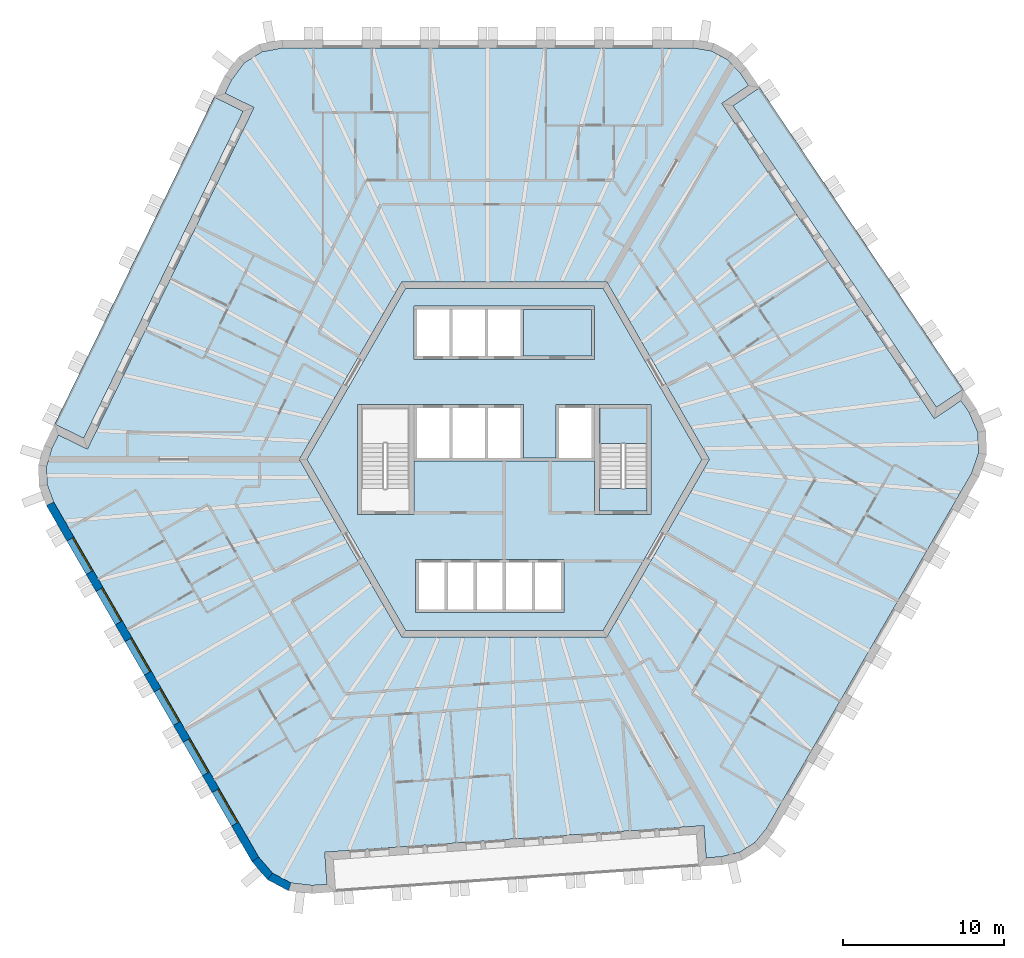
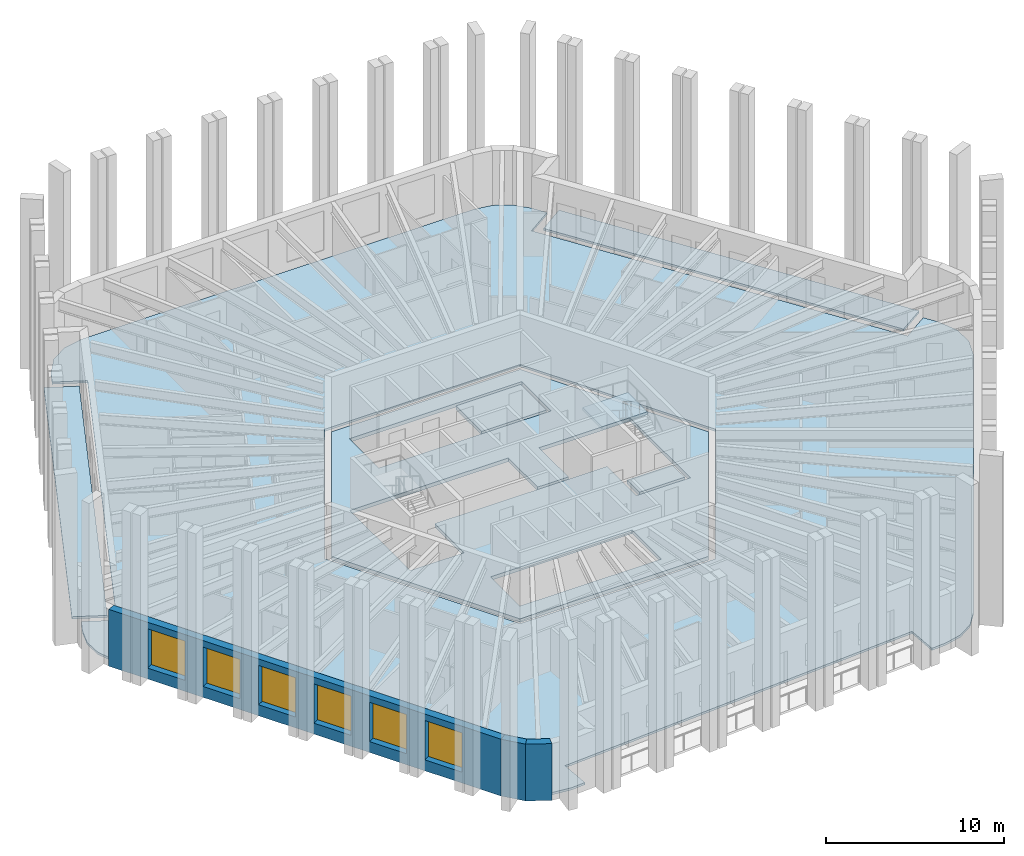
# One storey, part 2 of 13: 7 slabs, 6 windows, 3 walls, 6 openings, 1 element without a shape of its own.
"""IFC4 building model written with IfcOpenShell, lengths in metres."""

import ifcopenshell
import ifcopenshell.guid

model = None  # the IFC model being written
_history = None  # IfcOwnerHistory: only IFC2X3 demands one
_inside = {}  # id of a spatial element -> (the spatial element, [elements in it])
_under = {}  # id of a project, library or spatial element -> (it, [spatial elements below it])
_declared = {}  # id of a project -> (the project, [libraries it declares])
_typed = {}  # id of a type object -> (the type object, [elements of that type])
_made_of = {}  # id of a material, layer set ... -> (it, [elements and type objects made of it])


def new_model(schema):
    """Start an empty IFC model of exactly this schema.

    Asked for "IFC4X3", IfcOpenShell would pick the latest addendum, in which some entities
    have other attributes; the version numbers below select the first issue.
    IFC2X3 requires an IfcOwnerHistory on every rooted entity: one is made here for all.
    """
    global model, _history
    if schema == "IFC4X3":
        model = ifcopenshell.file(schema_version=(4, 3, 0, 0))
    else:
        model = ifcopenshell.file(schema=schema)
    _inside.clear()
    _under.clear()
    _declared.clear()
    _typed.clear()
    _made_of.clear()
    _history = None
    if model.schema == "IFC2X3":
        org = make("IfcOrganization", Name="unknown")
        user = make(
            "IfcPersonAndOrganization",
            ThePerson=make("IfcPerson", FamilyName="unknown"),
            TheOrganization=org,
        )
        app = make(
            "IfcApplication",
            ApplicationDeveloper=org,
            Version="unknown",
            ApplicationFullName="unknown",
            ApplicationIdentifier="unknown",
        )
        _history = make(
            "IfcOwnerHistory",
            OwningUser=user,
            OwningApplication=app,
            ChangeAction="ADDED",
            CreationDate=0,
        )
    return model


def make(cls, **values):
    """One entity of the class cls with the attributes given. An attribute that is None is left unset."""
    return model.create_entity(
        cls, **{name: value for name, value in values.items() if value is not None}
    )


def rooted(cls, **values):
    """An entity with a GlobalId (a new one), such as an element, a storey or a relation."""
    return make(cls, GlobalId=ifcopenshell.guid.new(), OwnerHistory=_history, **values)


def si_unit(unit_type, name, prefix=None):
    """IfcSIUnit, for example si_unit("LENGTHUNIT", "METRE", prefix="MILLI")."""
    return make("IfcSIUnit", UnitType=unit_type, Prefix=prefix, Name=name)


def assignment(units):
    """IfcUnitAssignment: the units of a project."""
    return None if units is None else make("IfcUnitAssignment", Units=units)


def point(xyz):
    """IfcCartesianPoint."""
    return None if xyz is None else make("IfcCartesianPoint", Coordinates=xyz)


def direction(xyz):
    """IfcDirection."""
    return None if xyz is None else make("IfcDirection", DirectionRatios=xyz)


def frame(location, z_axis=None, x_axis=None):
    """IfcAxis2Placement3D, a coordinate frame: its origin and axes. An axis left out is left unset."""
    return make(
        "IfcAxis2Placement3D",
        Location=point(location),
        Axis=direction(z_axis),
        RefDirection=direction(x_axis),
    )


def frame_2d(location, x_axis=None):
    """IfcAxis2Placement2D, a coordinate frame in the plane: its origin and x axis."""
    return make(
        "IfcAxis2Placement2D", Location=point(location), RefDirection=direction(x_axis)
    )


def origin():
    """The frame at (0, 0, 0) with its axes left unset."""
    return frame((0.0, 0.0, 0.0))


def place(relative_to, where):
    """IfcLocalPlacement: puts the frame where relative to a parent placement (None: the world)."""
    return make(
        "IfcLocalPlacement", PlacementRelTo=relative_to, RelativePlacement=where
    )


def context(
    kind, dimensions, precision=None, world=None, true_north=None, identifier=None
):
    """IfcGeometricRepresentationContext, for example the 3D "Model" context."""
    return make(
        "IfcGeometricRepresentationContext",
        ContextIdentifier=identifier,
        ContextType=kind,
        CoordinateSpaceDimension=dimensions,
        Precision=precision,
        WorldCoordinateSystem=world,
        TrueNorth=true_north,
    )


def subcontext(parent, identifier, kind, view, scale=None):
    """IfcGeometricRepresentationSubContext, for example "Body" below "Model"."""
    return make(
        "IfcGeometricRepresentationSubContext",
        ContextIdentifier=identifier,
        ContextType=kind,
        ParentContext=parent,
        TargetScale=scale,
        TargetView=view,
    )


def project(units=None, contexts=None):
    """IfcProject with its units and contexts."""
    return rooted(
        "IfcProject",
        Name="project",
        RepresentationContexts=contexts,
        UnitsInContext=assignment(units),
    )


def spatial(cls, under=None, at=None, **own):
    """A site, building, storey or space (cls), placed at a placement, below another one or the project."""
    s = rooted(cls, ObjectPlacement=at, **own)
    if under is not None:
        _under.setdefault(under.id(), (under, []))[1].append(s)
    return s


def polyline(points):
    """IfcPolyline through the points."""
    return make("IfcPolyline", Points=[point(p) for p in points])


def profile(cls, at=None, kind="AREA", **sizes):
    """A parametric profile (cls). Its sizes go by their IFC names, for example OverallWidth=200.0."""
    return make(cls, ProfileType=kind, Position=at, **sizes)


def rectangle(**sizes):
    """IfcRectangleProfileDef."""
    return profile("IfcRectangleProfileDef", **sizes)


def outline(outer, holes=None, kind="AREA"):
    """IfcArbitraryClosedProfileDef: a profile drawn as a closed curve; with holes, ...WithVoids."""
    if holes is None:
        return make("IfcArbitraryClosedProfileDef", ProfileType=kind, OuterCurve=outer)
    return make(
        "IfcArbitraryProfileDefWithVoids",
        ProfileType=kind,
        OuterCurve=outer,
        InnerCurves=holes,
    )


def extrude(swept, where, along, depth):
    """IfcExtrudedAreaSolid: the profile swept, set in the frame where, extruded along a direction by depth."""
    return make(
        "IfcExtrudedAreaSolid",
        SweptArea=swept,
        Position=where,
        ExtrudedDirection=direction(along),
        Depth=depth,
    )


def shape(context_of_items, identifier, shape_type, items):
    """IfcShapeRepresentation: the items that make up one representation, for example the "Body"."""
    return make(
        "IfcShapeRepresentation",
        ContextOfItems=context_of_items,
        RepresentationIdentifier=identifier,
        RepresentationType=shape_type,
        Items=items,
    )


def material(Name=None, Category=None):
    """IfcMaterial."""
    return make("IfcMaterial", Name=Name, Category=Category)


def layer(
    of_material, thickness, ventilated=None, Name=None, Category=None, Priority=None
):
    """IfcMaterialLayer: one layer of a wall or slab, of a material (None: an air gap)."""
    return make(
        "IfcMaterialLayer",
        Material=of_material,
        LayerThickness=thickness,
        IsVentilated=ventilated,
        Name=Name,
        Category=Category,
        Priority=Priority,
    )


def layer_set(layers, Name=None):
    """IfcMaterialLayerSet."""
    return make("IfcMaterialLayerSet", MaterialLayers=layers, LayerSetName=Name)


def made_of(thing, what):
    """Note that an element or type object is made of a material, layer set ...; save() writes the relation."""
    if what is not None:
        _made_of.setdefault(what.id(), (what, []))[1].append(thing)
    return thing


def type_object(cls, material=None, **own):
    """A type object (cls), such as IfcWallType, which elements share."""
    return made_of(rooted(cls, **own), material)


def element(
    cls,
    number,
    at=None,
    inside=None,
    cuts=None,
    type_object=None,
    material=None,
    context=None,
    identifier="Body",
    shape_type=None,
    held_by="IfcProductDefinitionShape",
    body=None,
    shapes=None,
    **own,
):
    """One element of the class cls, such as IfcWall. Its Tag is "e" and its number.

    at: its placement. inside: the storey or other place that contains it. cuts: it is an
    opening in that element (IfcRelVoidsElement). A single representation is given by context,
    identifier, shape_type and body (its items); several are given by shapes. held_by: the class
    of the entity that holds the representations. save() writes the other relations.
    """
    e = rooted(cls, Tag="e%d" % number, ObjectPlacement=at, **own)
    if body is not None:
        shapes = [shape(context, identifier, shape_type, body)]
    if shapes is not None:
        e.Representation = make(held_by, Representations=shapes)
    if inside is not None:
        _inside.setdefault(inside.id(), (inside, []))[1].append(e)
    if cuts is not None:
        rooted(
            "IfcRelVoidsElement", RelatingBuildingElement=cuts, RelatedOpeningElement=e
        )
    if type_object is not None:
        _typed.setdefault(type_object.id(), (type_object, []))[1].append(e)
    return made_of(e, material)


def fill(opening, filler):
    """IfcRelFillsElement: the door or window that sits in an opening."""
    return rooted(
        "IfcRelFillsElement",
        RelatingOpeningElement=opening,
        RelatedBuildingElement=filler,
    )


def aggregate(whole, parts):
    """IfcRelAggregates: a whole, such as a stair, and the parts it consists of."""
    return rooted("IfcRelAggregates", RelatingObject=whole, RelatedObjects=parts)


def save(model, path):
    """Write the relations noted so far, then the file.

    IfcRelAggregates (storeys below a building ...), IfcRelContainedInSpatialStructure (elements
    in a storey), IfcRelDefinesByType, IfcRelAssociatesMaterial and IfcRelDeclares: one each for
    every whole, place, type object, material and project.
    """
    for whole, parts in _under.values():
        aggregate(whole, parts)
    for where, things in _inside.values():
        rooted(
            "IfcRelContainedInSpatialStructure",
            RelatedElements=things,
            RelatingStructure=where,
        )
    for kind, things in _typed.values():
        rooted("IfcRelDefinesByType", RelatedObjects=things, RelatingType=kind)
    for what, things in _made_of.values():
        rooted("IfcRelAssociatesMaterial", RelatedObjects=things, RelatingMaterial=what)
    for by, libraries in _declared.values():
        rooted("IfcRelDeclares", RelatingContext=by, RelatedDefinitions=libraries)
    model.write(path)


model = new_model("IFC4")

# Units and contexts
model_context = context("Model", 3, precision=1e-05, world=origin(), true_north=direction((0.0, 1.0)))
body_context = subcontext(model_context, "Body", "Model", "MODEL_VIEW")
ifc_project = project(units=[si_unit("LENGTHUNIT", "METRE"), si_unit("AREAUNIT", "SQUARE_METRE"), si_unit("VOLUMEUNIT", "CUBIC_METRE"), si_unit("PLANEANGLEUNIT", "RADIAN"), si_unit("MASSUNIT", "GRAM", prefix="KILO")], contexts=[model_context])

# Site, building, storey
site_placement = place(None, origin())
site = spatial("IfcSite", under=ifc_project, at=site_placement, CompositionType="ELEMENT")
building_placement = place(site_placement, origin())
building = spatial("IfcBuilding", under=site, at=building_placement, Name="Tarnside Tower", CompositionType="ELEMENT")
storey_placement = place(building_placement, frame((0.0, 0.0, 279.60009765625)))
storey = spatial("IfcBuildingStorey", under=building, at=storey_placement, Name="L67", CompositionType="ELEMENT", Elevation=279.60009765625)

# Slabs
ifc_material_1 = material(Name="Concrete C35/45", Category="concrete")
ifc_layer_1 = layer(ifc_material_1, 0.14990234375)
ifc_layer_set_1 = layer_set([ifc_layer_1], Name="Composite floor slab 150")
slab_type_1 = type_object("IfcSlabType", Name="Composite floor slab 150", PredefinedType="FLOOR", material=ifc_layer_set_1)
slab_1_placement = place(storey_placement, frame((0.0, 0.0, -0.150146484375)))
element("IfcSlab", 1, at=slab_1_placement, inside=storey, type_object=slab_type_1, Name="Floor slab L67", PredefinedType="FLOOR", context=body_context, shape_type="SweptSolid", body=[
    extrude(outline(polyline([(12.81689453125, 25.312744140625), (13.818115234375, 24.7802734375), (14.610595703125, 23.940185546875), (15.130615234375, 23.169677734375), (13.472412109375, 22.05126953125), (26.638427734375, 2.53173828125), (28.29638671875, 3.650146484375), (28.814697265625, 2.8818359375), (29.336669921875, 1.671875), (29.3818359375, 0.378662109375), (28.945556640625, -0.864990234375), (16.2451171875, -22.86279296875), (15.51318359375, -23.756103515625), (14.55126953125, -24.35693359375), (13.427490234375, -24.623291015625), (12.500244140625, -24.688232421875), (12.360595703125, -22.693115234375), (-11.126708984375, -24.33544921875), (-10.9873046875, -26.33056640625), (-11.91162109375, -26.395263671875), (-13.220458984375, -26.2421875), (-14.363037109375, -25.634765625), (-15.2216796875, -24.635009765625), (-27.922119140625, -2.63720703125), (-28.329833984375, -1.556640625), (-28.369384765625, -0.42333984375), (-28.0380859375, 0.68310546875), (-27.630615234375, 1.5185546875), (-25.8330078125, 0.641845703125), (-15.51171875, 21.8037109375), (-17.309326171875, 22.680419921875), (-16.903076171875, 23.51318359375), (-16.1162109375, 24.5703125), (-15.018798828125, 25.256103515625), (-13.723876953125, 25.5), (11.67724609375, 25.5), (12.81689453125, 25.312744140625)]), holes=[polyline([(-12.70166015625, 0.0), (-6.350830078125, -11.0), (6.350830078125, -11.0), (12.70166015625, 0.0), (6.350830078125, 11.0), (-6.350830078125, 11.0), (-12.70166015625, 0.0)])]), origin(), (0.0, 0.0, 1.0), 0.150146484375),
])
ifc_material_2 = material(Name="Concrete C40/50", Category="concrete")
ifc_layer_2 = layer(ifc_material_2, 0.25)
ifc_layer_set_2 = layer_set([ifc_layer_2], Name="Core slab C40/50")
slab_type_2 = type_object("IfcSlabType", Name="Core slab C40/50", PredefinedType="FLOOR", material=ifc_layer_set_2)
slab_2_placement = place(storey_placement, frame((0.0, 0.0, -0.25)))
element("IfcSlab", 2, at=slab_2_placement, inside=storey, type_object=slab_type_2, Name="L67 core floor slab 1", PredefinedType="FLOOR", context=body_context, shape_type="SweptSolid", body=[
    extrude(outline(polyline([(6.119873046875, 10.60009765625), (12.23974609375, 0.0), (6.119873046875, -10.60009765625), (-6.119873046875, -10.60009765625), (-12.23974609375, 0.0), (-6.119873046875, 10.60009765625), (6.119873046875, 10.60009765625)]), holes=[polyline([(-5.5, -9.5), (3.699951171875, -9.5), (3.699951171875, -9.300048828125), (3.699951171875, -6.39990234375), (3.699951171875, -6.199951171875), (-5.5, -6.199951171875), (-5.5, -6.39990234375), (-5.5, -9.300048828125), (-5.5, -9.5)]), polyline([(-5.60009765625, -3.39990234375), (-5.60009765625, -0.10009765625), (5.60009765625, -0.10009765625), (5.60009765625, -3.39990234375), (5.89990234375, -3.39990234375), (8.85009765625, -3.39990234375), (9.10009765625, -3.39990234375), (9.10009765625, 3.39990234375), (8.85009765625, 3.39990234375), (5.89990234375, 3.39990234375), (5.60009765625, 3.39990234375), (3.39990234375, 3.39990234375), (3.199951171875, 3.39990234375), (3.199951171875, 0.10009765625), (1.199951171875, 0.10009765625), (1.199951171875, 3.39990234375), (1.0, 3.39990234375), (-5.60009765625, 3.39990234375), (-5.89990234375, 3.39990234375), (-8.85009765625, 3.39990234375), (-9.10009765625, 3.39990234375), (-9.10009765625, -3.39990234375), (-8.85009765625, -3.39990234375), (-5.89990234375, -3.39990234375), (-5.60009765625, -3.39990234375)]), polyline([(-5.60009765625, 6.199951171875), (5.60009765625, 6.199951171875), (5.60009765625, 6.39990234375), (5.60009765625, 9.300048828125), (5.60009765625, 9.5), (-5.60009765625, 9.5), (-5.60009765625, 9.300048828125), (-5.60009765625, 6.39990234375), (-5.60009765625, 6.199951171875)])]), origin(), (0.0, 0.0, 1.0), 0.25),
])
slab_3_placement = place(storey_placement, frame((0.0, 0.0, -0.25)))
element("IfcSlab", 3, at=slab_3_placement, inside=storey, type_object=slab_type_2, Name="L67 core floor slab 3", PredefinedType="FLOOR", context=body_context, shape_type="SweptSolid", body=[
    extrude(outline(polyline([(5.89990234375, -1.800048828125), (8.85009765625, -1.800048828125), (8.85009765625, -3.199951171875), (5.89990234375, -3.199951171875), (5.89990234375, -1.800048828125)])), origin(), (0.0, 0.0, 1.0), 0.25),
])
slab_4_placement = place(storey_placement, frame((0.0, 0.0, -0.25)))
element("IfcSlab", 4, at=slab_4_placement, inside=storey, type_object=slab_type_2, Name="L67 core floor slab 4", PredefinedType="FLOOR", context=body_context, shape_type="SweptSolid", body=[
    extrude(outline(polyline([(5.39990234375, 6.39990234375), (1.199951171875, 6.39990234375), (1.199951171875, 9.300048828125), (5.39990234375, 9.300048828125), (5.39990234375, 6.39990234375)])), origin(), (0.0, 0.0, 1.0), 0.25),
])
ifc_material_3 = material(Name="Timber decking", Category="wood")
ifc_layer_3 = layer(ifc_material_3, 0.0400390625)
ifc_material_4 = material(Name="Concrete C60/75 precast", Category="concrete")
ifc_layer_4 = layer(ifc_material_4, 0.110107421875)
ifc_layer_set_3 = layer_set([ifc_layer_3, ifc_layer_4], Name="Loggia deck 150")
slab_type_3 = type_object("IfcSlabType", Name="Loggia deck 150", PredefinedType="FLOOR", material=ifc_layer_set_3)
slab_5_placement = place(storey_placement, frame((0.0, 0.0, -0.150146484375)))
element("IfcSlab", 5, at=slab_5_placement, inside=storey, type_object=slab_type_3, Name="Loggia deck L67 F2", PredefinedType="FLOOR", context=body_context, shape_type="SweptSolid", body=[
    extrude(outline(polyline([(-16.180419921875, 21.573486328125), (-26.063232421875, 1.310302734375), (-27.86083984375, 2.187255859375), (-17.97802734375, 22.4501953125), (-16.180419921875, 21.573486328125)])), origin(), (0.0, 0.0, 1.0), 0.150146484375),
])
slab_6_placement = place(storey_placement, frame((0.0, 0.0, -0.150146484375)))
element("IfcSlab", 6, at=slab_6_placement, inside=storey, type_object=slab_type_3, Name="Loggia deck L67 F6", PredefinedType="FLOOR", context=body_context, shape_type="SweptSolid", body=[
    extrude(outline(polyline([(26.7734375, 3.225830078125), (14.16650390625, 21.916259765625), (15.82470703125, 23.03466796875), (28.431396484375, 4.34423828125), (26.7734375, 3.225830078125)])), origin(), (0.0, 0.0, 1.0), 0.150146484375),
])

# Stair, slab
stair_type = type_object("IfcStairType", Name="Exit stair 1400 clear", PredefinedType="HALF_TURN_STAIR", material=ifc_material_2)
stair_placement = place(storey_placement, origin())
stair = element("IfcStair", 7, at=stair_placement, inside=storey, type_object=stair_type, Name="L67 Exit stair 1", PredefinedType="HALF_TURN_STAIR")
ifc_layer_5 = layer(ifc_material_2, 0.199951171875)
ifc_layer_set_4 = layer_set([ifc_layer_5], Name="Stair landing 200 C40/50")
slab_type_4 = type_object("IfcSlabType", Name="Stair landing 200 C40/50", PredefinedType="LANDING", material=ifc_layer_set_4)
slab_7_placement = place(storey_placement, frame((0.0, 0.0, 1.75)))
slab_7 = element("IfcSlab", 8, at=slab_7_placement, type_object=slab_type_4, Name="ST1 landing 1", PredefinedType="LANDING", context=body_context, shape_type="SweptSolid", body=[
    extrude(outline(polyline([(8.85009765625, 1.0), (8.85009765625, 3.199951171875), (5.89990234375, 3.199951171875), (5.89990234375, 1.0), (8.85009765625, 1.0)])), origin(), (0.0, 0.0, 1.0), 0.199951171875),
])
aggregate(stair, [slab_7])

# Wall, openings, windows
ifc_material_5 = material(Name="Facing brick", Category="masonry")
ifc_layer_6 = layer(ifc_material_5, 0.10205078125)
ifc_layer_7 = layer(ifc_material_4, 0.298095703125)
ifc_material_6 = material(Name="Mineral wool insulation")
ifc_layer_8 = layer(ifc_material_6, 0.10009765625)
ifc_layer_set_5 = layer_set([ifc_layer_6, ifc_layer_7, ifc_layer_8], Name="Tube wall 500 brick faced")
wall_type = type_object("IfcWallType", Name="Tube wall 500 brick faced", PredefinedType="SOLIDWALL", material=ifc_layer_set_5)
wall_1_placement = place(storey_placement, frame((-28.14892578125, -2.74462890625, -0.150146484375), z_axis=(0.0, 0.0, 1.0), x_axis=(0.500003737743, -0.866023245787, 0.0)))
wall_1 = element("IfcWall", 9, at=wall_1_placement, inside=storey, type_object=wall_type, Name="Tube wall L67 F3 flush 12", PredefinedType="SOLIDWALL", context=body_context, shape_type="SweptSolid", body=[
    extrude(outline(polyline([(-0.0205078125, -0.25), (25.468017578125, -0.25), (25.421142578125, 0.25), (0.0205078125, 0.25), (-0.0205078125, -0.25)])), origin(), (0.0, 0.0, 1.0), 3.900146484375),
])
opening_1_placement = place(wall_1_placement, frame((2.5224609375, 0.0, 0.75)))
opening_1 = element("IfcOpeningElement", 10, at=opening_1_placement, cuts=wall_1, Name="Opening WR", PredefinedType="OPENING", context=body_context, shape_type="SweptSolid", body=[
    extrude(rectangle(XDim=2.39990234375, YDim=2.699951171875, at=frame_2d((1.199951171875, 1.35009765625))), frame((0.0, 0.260009765625, 0.0), z_axis=(0.0, -1.0, 0.0), x_axis=(1.0, 0.0, 0.0)), (0.0, 0.0, 1.0), 0.52001953125),
])
opening_2_placement = place(wall_1_placement, frame((6.122314453125, 0.0, 0.75)))
opening_2 = element("IfcOpeningElement", 11, at=opening_2_placement, cuts=wall_1, Name="Opening WR", PredefinedType="OPENING", context=body_context, shape_type="SweptSolid", body=[
    extrude(rectangle(XDim=2.39990234375, YDim=2.699951171875, at=frame_2d((1.199951171875, 1.35009765625))), frame((0.0, 0.260009765625, 0.0), z_axis=(0.0, -1.0, 0.0), x_axis=(1.0, 0.0, 0.0)), (0.0, 0.0, 1.0), 0.52001953125),
])
opening_3_placement = place(wall_1_placement, frame((9.722412109375, 0.0, 0.75)))
opening_3 = element("IfcOpeningElement", 12, at=opening_3_placement, cuts=wall_1, Name="Opening WR", PredefinedType="OPENING", context=body_context, shape_type="SweptSolid", body=[
    extrude(rectangle(XDim=2.39990234375, YDim=2.699951171875, at=frame_2d((1.199951171875, 1.35009765625))), frame((0.0, 0.260009765625, 0.0), z_axis=(0.0, -1.0, 0.0), x_axis=(1.0, 0.0, 0.0)), (0.0, 0.0, 1.0), 0.52001953125),
])
opening_4_placement = place(wall_1_placement, frame((13.322509765625, 0.0, 0.75)))
opening_4 = element("IfcOpeningElement", 13, at=opening_4_placement, cuts=wall_1, Name="Opening WR", PredefinedType="OPENING", context=body_context, shape_type="SweptSolid", body=[
    extrude(rectangle(XDim=2.39990234375, YDim=2.699951171875, at=frame_2d((1.199951171875, 1.35009765625))), frame((0.0, 0.260009765625, 0.0), z_axis=(0.0, -1.0, 0.0), x_axis=(1.0, 0.0, 0.0)), (0.0, 0.0, 1.0), 0.52001953125),
])
opening_5_placement = place(wall_1_placement, frame((16.92236328125, 0.0, 0.75)))
opening_5 = element("IfcOpeningElement", 14, at=opening_5_placement, cuts=wall_1, Name="Opening WR", PredefinedType="OPENING", context=body_context, shape_type="SweptSolid", body=[
    extrude(rectangle(XDim=2.39990234375, YDim=2.699951171875, at=frame_2d((1.199951171875, 1.35009765625))), frame((0.0, 0.260009765625, 0.0), z_axis=(0.0, -1.0, 0.0), x_axis=(1.0, 0.0, 0.0)), (0.0, 0.0, 1.0), 0.52001953125),
])
opening_6_placement = place(wall_1_placement, frame((20.5224609375, 0.0, 0.75)))
opening_6 = element("IfcOpeningElement", 15, at=opening_6_placement, cuts=wall_1, Name="Opening WR", PredefinedType="OPENING", context=body_context, shape_type="SweptSolid", body=[
    extrude(rectangle(XDim=2.39990234375, YDim=2.699951171875, at=frame_2d((1.199951171875, 1.35009765625))), frame((0.0, 0.260009765625, 0.0), z_axis=(0.0, -1.0, 0.0), x_axis=(1.0, 0.0, 0.0)), (0.0, 0.0, 1.0), 0.52001953125),
])
ifc_material_7 = material(Name="Aluminium-framed double glazing", Category="aluminium")
window_type = type_object("IfcWindowType", Name="Residence window 2400 x 2700", PartitioningType="DOUBLE_PANEL_VERTICAL", PredefinedType="WINDOW", material=ifc_material_7)
window_1_placement = place(opening_1_placement, frame((0.0, 0.179931640625, 0.0)))
window_1 = element("IfcWindow", 16, at=window_1_placement, inside=storey, type_object=window_type, Name="E.WN.L67.F3.00", OverallHeight=2.699951171875, OverallWidth=2.39990234375, PartitioningType="DOUBLE_PANEL_VERTICAL", PredefinedType="WINDOW", context=body_context, shape_type="SweptSolid", body=[
    extrude(rectangle(XDim=2.39990234375, YDim=2.699951171875, at=frame_2d((1.199951171875, 1.35009765625))), frame((0.0, 0.030029296875, 0.0), z_axis=(0.0, -1.0, 0.0), x_axis=(1.0, 0.0, 0.0)), (0.0, 0.0, 1.0), 0.06005859375),
])
fill(opening_1, window_1)
window_2_placement = place(opening_2_placement, frame((0.0, 0.179931640625, 0.0)))
window_2 = element("IfcWindow", 17, at=window_2_placement, inside=storey, type_object=window_type, Name="E.WN.L67.F3.01", OverallHeight=2.699951171875, OverallWidth=2.39990234375, PartitioningType="DOUBLE_PANEL_VERTICAL", PredefinedType="WINDOW", context=body_context, shape_type="SweptSolid", body=[
    extrude(rectangle(XDim=2.39990234375, YDim=2.699951171875, at=frame_2d((1.199951171875, 1.35009765625))), frame((0.0, 0.030029296875, 0.0), z_axis=(0.0, -1.0, 0.0), x_axis=(1.0, 0.0, 0.0)), (0.0, 0.0, 1.0), 0.06005859375),
])
fill(opening_2, window_2)
window_3_placement = place(opening_3_placement, frame((0.0, 0.179931640625, 0.0)))
window_3 = element("IfcWindow", 18, at=window_3_placement, inside=storey, type_object=window_type, Name="E.WN.L67.F3.02", OverallHeight=2.699951171875, OverallWidth=2.39990234375, PartitioningType="DOUBLE_PANEL_VERTICAL", PredefinedType="WINDOW", context=body_context, shape_type="SweptSolid", body=[
    extrude(rectangle(XDim=2.39990234375, YDim=2.699951171875, at=frame_2d((1.199951171875, 1.35009765625))), frame((0.0, 0.030029296875, 0.0), z_axis=(0.0, -1.0, 0.0), x_axis=(1.0, 0.0, 0.0)), (0.0, 0.0, 1.0), 0.06005859375),
])
fill(opening_3, window_3)
window_4_placement = place(opening_4_placement, frame((0.0, 0.179931640625, 0.0)))
window_4 = element("IfcWindow", 19, at=window_4_placement, inside=storey, type_object=window_type, Name="E.WN.L67.F3.03", OverallHeight=2.699951171875, OverallWidth=2.39990234375, PartitioningType="DOUBLE_PANEL_VERTICAL", PredefinedType="WINDOW", context=body_context, shape_type="SweptSolid", body=[
    extrude(rectangle(XDim=2.39990234375, YDim=2.699951171875, at=frame_2d((1.199951171875, 1.35009765625))), frame((0.0, 0.030029296875, 0.0), z_axis=(0.0, -1.0, 0.0), x_axis=(1.0, 0.0, 0.0)), (0.0, 0.0, 1.0), 0.06005859375),
])
fill(opening_4, window_4)
window_5_placement = place(opening_5_placement, frame((0.0, 0.179931640625, 0.0)))
window_5 = element("IfcWindow", 20, at=window_5_placement, inside=storey, type_object=window_type, Name="E.WN.L67.F3.04", OverallHeight=2.699951171875, OverallWidth=2.39990234375, PartitioningType="DOUBLE_PANEL_VERTICAL", PredefinedType="WINDOW", context=body_context, shape_type="SweptSolid", body=[
    extrude(rectangle(XDim=2.39990234375, YDim=2.699951171875, at=frame_2d((1.199951171875, 1.35009765625))), frame((0.0, 0.030029296875, 0.0), z_axis=(0.0, -1.0, 0.0), x_axis=(1.0, 0.0, 0.0)), (0.0, 0.0, 1.0), 0.06005859375),
])
fill(opening_5, window_5)
window_6_placement = place(opening_6_placement, frame((0.0, 0.179931640625, 0.0)))
window_6 = element("IfcWindow", 21, at=window_6_placement, inside=storey, type_object=window_type, Name="E.WN.L67.F3.05", OverallHeight=2.699951171875, OverallWidth=2.39990234375, PartitioningType="DOUBLE_PANEL_VERTICAL", PredefinedType="WINDOW", context=body_context, shape_type="SweptSolid", body=[
    extrude(rectangle(XDim=2.39990234375, YDim=2.699951171875, at=frame_2d((1.199951171875, 1.35009765625))), frame((0.0, 0.030029296875, 0.0), z_axis=(0.0, -1.0, 0.0), x_axis=(1.0, 0.0, 0.0)), (0.0, 0.0, 1.0), 0.06005859375),
])
fill(opening_6, window_6)

# Walls
wall_2_placement = place(storey_placement, frame((-15.426513671875, -24.7802734375, -0.150146484375), z_axis=(0.0, 0.0, 1.0), x_axis=(0.651616566281, -0.758548515619, 0.0)))
element("IfcWall", 22, at=wall_2_placement, inside=storey, type_object=wall_type, Name="Tube wall L67 F3 chord 13", PredefinedType="SOLIDWALL", context=body_context, shape_type="SweptSolid", body=[
    extrude(outline(polyline([(-0.0234375, -0.25), (1.435302734375, -0.25), (1.341064453125, 0.25), (0.0234375, 0.25), (-0.0234375, -0.25)])), origin(), (0.0, 0.0, 1.0), 3.900146484375),
])
wall_3_placement = place(storey_placement, frame((-14.52197265625, -25.833251953125, -0.150146484375), z_axis=(0.0, 0.0, 1.0), x_axis=(0.882926676147, -0.469510899286, 0.0)))
element("IfcWall", 23, at=wall_3_placement, inside=storey, type_object=wall_type, Name="Tube wall L67 F3 chord 14", PredefinedType="SOLIDWALL", context=body_context, shape_type="SweptSolid", body=[
    extrude(outline(polyline([(-0.047119140625, -0.25), (1.435546875, -0.25), (1.34130859375, 0.25), (0.047119140625, 0.25), (-0.047119140625, -0.25)])), origin(), (0.0, 0.0, 1.0), 3.900146484375),
])

save(model, "model.ifc")
